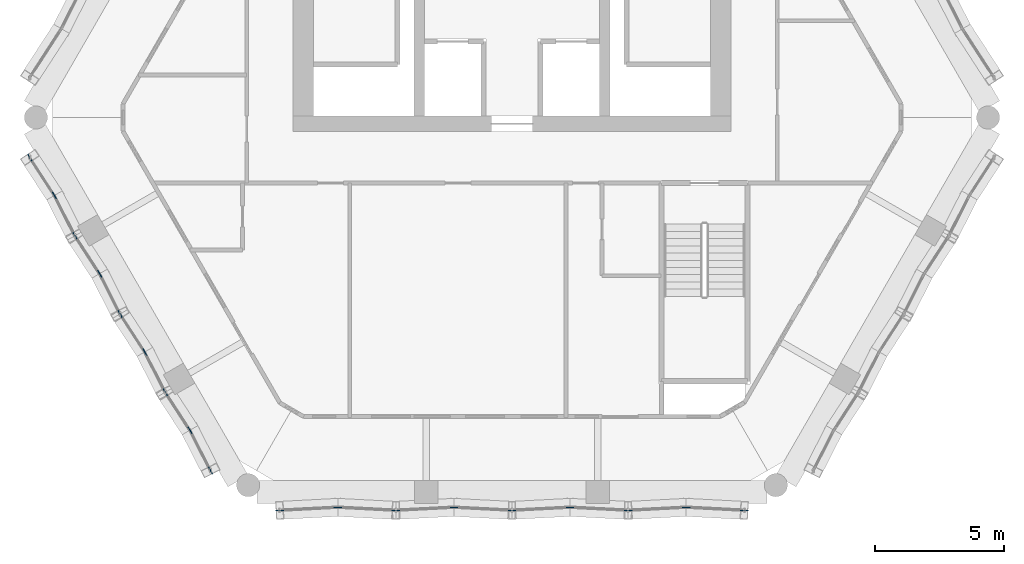
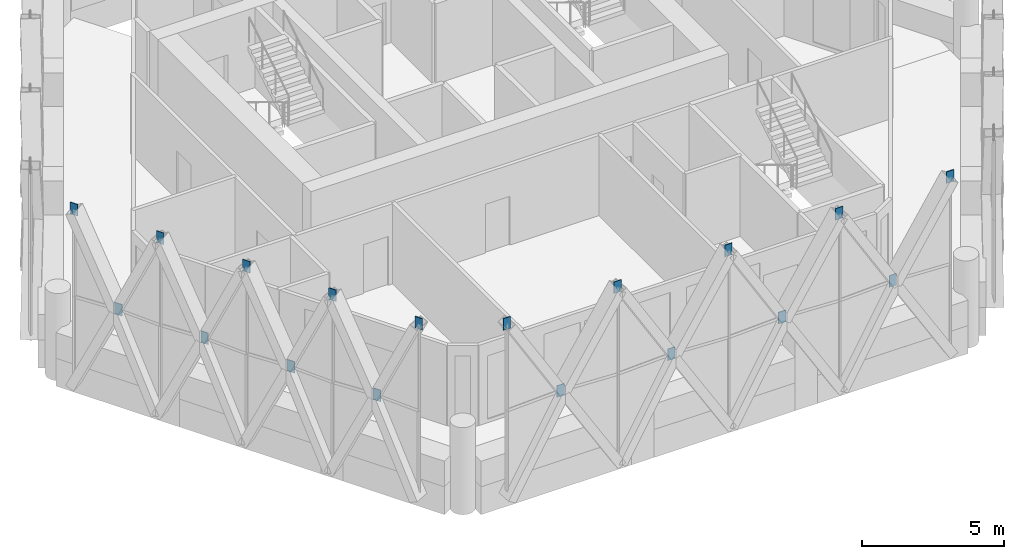
# One storey, part 22 of 27: 18 discrete accessories.
"""IFC4 building model written with IfcOpenShell, lengths in metres."""

import ifcopenshell
import ifcopenshell.guid

model = None  # the IFC model being written
_history = None  # IfcOwnerHistory: only IFC2X3 demands one
_inside = {}  # id of a spatial element -> (the spatial element, [elements in it])
_under = {}  # id of a project, library or spatial element -> (it, [spatial elements below it])
_declared = {}  # id of a project -> (the project, [libraries it declares])
_typed = {}  # id of a type object -> (the type object, [elements of that type])
_made_of = {}  # id of a material, layer set ... -> (it, [elements and type objects made of it])


def new_model(schema):
    """Start an empty IFC model of exactly this schema.

    Asked for "IFC4X3", IfcOpenShell would pick the latest addendum, in which some entities
    have other attributes; the version numbers below select the first issue.
    IFC2X3 requires an IfcOwnerHistory on every rooted entity: one is made here for all.
    """
    global model, _history
    if schema == "IFC4X3":
        model = ifcopenshell.file(schema_version=(4, 3, 0, 0))
    else:
        model = ifcopenshell.file(schema=schema)
    _inside.clear()
    _under.clear()
    _declared.clear()
    _typed.clear()
    _made_of.clear()
    _history = None
    if model.schema == "IFC2X3":
        org = make("IfcOrganization", Name="unknown")
        user = make(
            "IfcPersonAndOrganization",
            ThePerson=make("IfcPerson", FamilyName="unknown"),
            TheOrganization=org,
        )
        app = make(
            "IfcApplication",
            ApplicationDeveloper=org,
            Version="unknown",
            ApplicationFullName="unknown",
            ApplicationIdentifier="unknown",
        )
        _history = make(
            "IfcOwnerHistory",
            OwningUser=user,
            OwningApplication=app,
            ChangeAction="ADDED",
            CreationDate=0,
        )
    return model


def make(cls, **values):
    """One entity of the class cls with the attributes given. An attribute that is None is left unset."""
    return model.create_entity(
        cls, **{name: value for name, value in values.items() if value is not None}
    )


def rooted(cls, **values):
    """An entity with a GlobalId (a new one), such as an element, a storey or a relation."""
    return make(cls, GlobalId=ifcopenshell.guid.new(), OwnerHistory=_history, **values)


def si_unit(unit_type, name, prefix=None):
    """IfcSIUnit, for example si_unit("LENGTHUNIT", "METRE", prefix="MILLI")."""
    return make("IfcSIUnit", UnitType=unit_type, Prefix=prefix, Name=name)


def assignment(units):
    """IfcUnitAssignment: the units of a project."""
    return None if units is None else make("IfcUnitAssignment", Units=units)


def point(xyz):
    """IfcCartesianPoint."""
    return None if xyz is None else make("IfcCartesianPoint", Coordinates=xyz)


def direction(xyz):
    """IfcDirection."""
    return None if xyz is None else make("IfcDirection", DirectionRatios=xyz)


def frame(location, z_axis=None, x_axis=None):
    """IfcAxis2Placement3D, a coordinate frame: its origin and axes. An axis left out is left unset."""
    return make(
        "IfcAxis2Placement3D",
        Location=point(location),
        Axis=direction(z_axis),
        RefDirection=direction(x_axis),
    )


def frame_2d(location, x_axis=None):
    """IfcAxis2Placement2D, a coordinate frame in the plane: its origin and x axis."""
    return make(
        "IfcAxis2Placement2D", Location=point(location), RefDirection=direction(x_axis)
    )


def origin():
    """The frame at (0, 0, 0) with its axes left unset."""
    return frame((0.0, 0.0, 0.0))


def origin_2d():
    """The frame at (0, 0) in the plane with its x axis left unset."""
    return frame_2d((0.0, 0.0))


def place(relative_to, where):
    """IfcLocalPlacement: puts the frame where relative to a parent placement (None: the world)."""
    return make(
        "IfcLocalPlacement", PlacementRelTo=relative_to, RelativePlacement=where
    )


def context(
    kind, dimensions, precision=None, world=None, true_north=None, identifier=None
):
    """IfcGeometricRepresentationContext, for example the 3D "Model" context."""
    return make(
        "IfcGeometricRepresentationContext",
        ContextIdentifier=identifier,
        ContextType=kind,
        CoordinateSpaceDimension=dimensions,
        Precision=precision,
        WorldCoordinateSystem=world,
        TrueNorth=true_north,
    )


def subcontext(parent, identifier, kind, view, scale=None):
    """IfcGeometricRepresentationSubContext, for example "Body" below "Model"."""
    return make(
        "IfcGeometricRepresentationSubContext",
        ContextIdentifier=identifier,
        ContextType=kind,
        ParentContext=parent,
        TargetScale=scale,
        TargetView=view,
    )


def project(units=None, contexts=None):
    """IfcProject with its units and contexts."""
    return rooted(
        "IfcProject",
        Name="project",
        RepresentationContexts=contexts,
        UnitsInContext=assignment(units),
    )


def spatial(cls, under=None, at=None, **own):
    """A site, building, storey or space (cls), placed at a placement, below another one or the project."""
    s = rooted(cls, ObjectPlacement=at, **own)
    if under is not None:
        _under.setdefault(under.id(), (under, []))[1].append(s)
    return s


def profile(cls, at=None, kind="AREA", **sizes):
    """A parametric profile (cls). Its sizes go by their IFC names, for example OverallWidth=200.0."""
    return make(cls, ProfileType=kind, Position=at, **sizes)


def rectangle(**sizes):
    """IfcRectangleProfileDef."""
    return profile("IfcRectangleProfileDef", **sizes)


def extrude(swept, where, along, depth):
    """IfcExtrudedAreaSolid: the profile swept, set in the frame where, extruded along a direction by depth."""
    return make(
        "IfcExtrudedAreaSolid",
        SweptArea=swept,
        Position=where,
        ExtrudedDirection=direction(along),
        Depth=depth,
    )


def shape(context_of_items, identifier, shape_type, items):
    """IfcShapeRepresentation: the items that make up one representation, for example the "Body"."""
    return make(
        "IfcShapeRepresentation",
        ContextOfItems=context_of_items,
        RepresentationIdentifier=identifier,
        RepresentationType=shape_type,
        Items=items,
    )


def material(Name=None, Category=None):
    """IfcMaterial."""
    return make("IfcMaterial", Name=Name, Category=Category)


def layer(
    of_material, thickness, ventilated=None, Name=None, Category=None, Priority=None
):
    """IfcMaterialLayer: one layer of a wall or slab, of a material (None: an air gap)."""
    return make(
        "IfcMaterialLayer",
        Material=of_material,
        LayerThickness=thickness,
        IsVentilated=ventilated,
        Name=Name,
        Category=Category,
        Priority=Priority,
    )


def layer_set(layers, Name=None):
    """IfcMaterialLayerSet."""
    return make("IfcMaterialLayerSet", MaterialLayers=layers, LayerSetName=Name)


def made_of(thing, what):
    """Note that an element or type object is made of a material, layer set ...; save() writes the relation."""
    if what is not None:
        _made_of.setdefault(what.id(), (what, []))[1].append(thing)
    return thing


def type_object(cls, material=None, **own):
    """A type object (cls), such as IfcWallType, which elements share."""
    return made_of(rooted(cls, **own), material)


def element(
    cls,
    number,
    at=None,
    inside=None,
    cuts=None,
    type_object=None,
    material=None,
    context=None,
    identifier="Body",
    shape_type=None,
    held_by="IfcProductDefinitionShape",
    body=None,
    shapes=None,
    **own,
):
    """One element of the class cls, such as IfcWall. Its Tag is "e" and its number.

    at: its placement. inside: the storey or other place that contains it. cuts: it is an
    opening in that element (IfcRelVoidsElement). A single representation is given by context,
    identifier, shape_type and body (its items); several are given by shapes. held_by: the class
    of the entity that holds the representations. save() writes the other relations.
    """
    e = rooted(cls, Tag="e%d" % number, ObjectPlacement=at, **own)
    if body is not None:
        shapes = [shape(context, identifier, shape_type, body)]
    if shapes is not None:
        e.Representation = make(held_by, Representations=shapes)
    if inside is not None:
        _inside.setdefault(inside.id(), (inside, []))[1].append(e)
    if cuts is not None:
        rooted(
            "IfcRelVoidsElement", RelatingBuildingElement=cuts, RelatedOpeningElement=e
        )
    if type_object is not None:
        _typed.setdefault(type_object.id(), (type_object, []))[1].append(e)
    return made_of(e, material)


def aggregate(whole, parts):
    """IfcRelAggregates: a whole, such as a stair, and the parts it consists of."""
    return rooted("IfcRelAggregates", RelatingObject=whole, RelatedObjects=parts)


def save(model, path):
    """Write the relations noted so far, then the file.

    IfcRelAggregates (storeys below a building ...), IfcRelContainedInSpatialStructure (elements
    in a storey), IfcRelDefinesByType, IfcRelAssociatesMaterial and IfcRelDeclares: one each for
    every whole, place, type object, material and project.
    """
    for whole, parts in _under.values():
        aggregate(whole, parts)
    for where, things in _inside.values():
        rooted(
            "IfcRelContainedInSpatialStructure",
            RelatedElements=things,
            RelatingStructure=where,
        )
    for kind, things in _typed.values():
        rooted("IfcRelDefinesByType", RelatedObjects=things, RelatingType=kind)
    for what, things in _made_of.values():
        rooted("IfcRelAssociatesMaterial", RelatedObjects=things, RelatingMaterial=what)
    for by, libraries in _declared.values():
        rooted("IfcRelDeclares", RelatingContext=by, RelatedDefinitions=libraries)
    model.write(path)


model = new_model("IFC4")

# Units and contexts
model_context = context("Model", 3, precision=1e-05, world=origin(), true_north=direction((0.0, 1.0)))
body_context = subcontext(model_context, "Body", "Model", "MODEL_VIEW")
ifc_project = project(units=[si_unit("LENGTHUNIT", "METRE"), si_unit("AREAUNIT", "SQUARE_METRE"), si_unit("VOLUMEUNIT", "CUBIC_METRE"), si_unit("PLANEANGLEUNIT", "RADIAN"), si_unit("MASSUNIT", "GRAM", prefix="KILO")], contexts=[model_context])

# Site, building, storey
site_placement = place(None, origin())
site = spatial("IfcSite", under=ifc_project, at=site_placement, CompositionType="ELEMENT")
building_placement = place(site_placement, origin())
building = spatial("IfcBuilding", under=site, at=building_placement, Name="Ostrander Bayou Hotel Tower", CompositionType="ELEMENT")
storey_placement = place(building_placement, frame((0.0, 0.0, 267.5)))
storey = spatial("IfcBuildingStorey", under=building, at=storey_placement, Name="L66", CompositionType="ELEMENT", Elevation=267.5)

# Discrete accessories
ifc_material = material(Name="Steel ASTM A572 Gr 50", Category="steel")
ifc_layer = layer(ifc_material, 0.030029296875)
ifc_layer_set = layer_set([ifc_layer], Name="GP1 gusset plate 30 mm")
discrete_accessory_type = type_object("IfcDiscreteAccessoryType", Name="GP1 gusset plate 30 mm", PredefinedType="BRACKET", material=ifc_layer_set)
for number, where, z_axis, x_axis, name in (
    (1, (-17.767822265625, -4.181396484375, 2.89990234375), (0.0, 0.0, 1.0), (0.5, -0.866025403784, 0.0), "GP1 gusset plate lat 521"),
    (2, (-18.724609375, -2.7080078125, 6.64990234375), (0.0, 0.0, 1.0), (0.5, -0.866025403784, 0.0), "GP1 gusset plate lat 522"),
    (3, (-16.970458984375, -5.74658203125, 6.64990234375), (0.0, 0.0, 1.0), (0.5, -0.866025403784, 0.0), "GP1 gusset plate lat 523"),
    (4, (-16.013671875, -7.2197265625, 2.89990234375), (0.0, 0.0, 1.0), (0.5, -0.866025403784, 0.0), "GP1 gusset plate lat 524"),
    (5, (-15.216064453125, -8.784912109375, 6.64990234375), (0.0, 0.0, 1.0), (0.5, -0.866025403784, 0.0), "GP1 gusset plate lat 525"),
    (6, (-14.25927734375, -10.25830078125, 2.89990234375), (0.0, 0.0, 1.0), (0.5, -0.866025403784, 0.0), "GP1 gusset plate lat 526"),
    (7, (-13.4619140625, -11.823486328125, 6.64990234375), (0.0, 0.0, 1.0), (0.5, -0.866025403784, 0.0), "GP1 gusset plate lat 527"),
    (8, (-12.5048828125, -13.296875, 2.89990234375), (0.0, 0.0, 1.0), (0.5, -0.866025403784, 0.0), "GP1 gusset plate lat 528"),
    (9, (-11.70751953125, -14.862060546875, 6.64990234375), (0.0, 0.0, 1.0), (0.5, -0.866025403784, 0.0), "GP1 gusset plate lat 529"),
    (10, (-6.76513671875, -16.29541015625, 2.89990234375), (0.0, 0.0, 1.0), (1.0, 0.0, 0.0), "GP1 gusset plate lat 530"),
    (11, (-9.020263671875, -16.41357421875, 6.64990234375), (0.0, 0.0, 1.0), (1.0, 0.0, 0.0), "GP1 gusset plate lat 531"),
    (12, (-4.510009765625, -16.41357421875, 6.64990234375), (0.0, 0.0, 1.0), (1.0, 0.0, 0.0), "GP1 gusset plate lat 532"),
    (13, (-2.255126953125, -16.29541015625, 2.89990234375), (0.0, 0.0, 1.0), (1.0, 0.0, 0.0), "GP1 gusset plate lat 533"),
    (14, (0.0, -16.41357421875, 6.64990234375), (0.0, 0.0, 1.0), (1.0, 0.0, 0.0), "GP1 gusset plate lat 534"),
    (15, (2.255126953125, -16.29541015625, 2.89990234375), (0.0, 0.0, 1.0), (1.0, 0.0, 0.0), "GP1 gusset plate lat 535"),
    (16, (4.510009765625, -16.41357421875, 6.64990234375), (0.0, 0.0, 1.0), (1.0, 0.0, 0.0), "GP1 gusset plate lat 536"),
    (17, (6.76513671875, -16.29541015625, 2.89990234375), (0.0, 0.0, 1.0), (1.0, 0.0, 0.0), "GP1 gusset plate lat 537"),
    (18, (9.020263671875, -16.41357421875, 6.64990234375), (0.0, 0.0, 1.0), (1.0, 0.0, 0.0), "GP1 gusset plate lat 538"),
):
    element("IfcDiscreteAccessory", number, at=place(storey_placement, frame(where, z_axis=z_axis, x_axis=x_axis)), inside=storey, type_object=discrete_accessory_type, Name=name, PredefinedType="BRACKET", context=body_context, shape_type="SweptSolid", body=[
        extrude(rectangle(XDim=0.300048828125, YDim=0.030029296875, at=origin_2d()), origin(), (0.0, 0.0, 1.0), 0.5),
    ])

save(model, "model.ifc")
